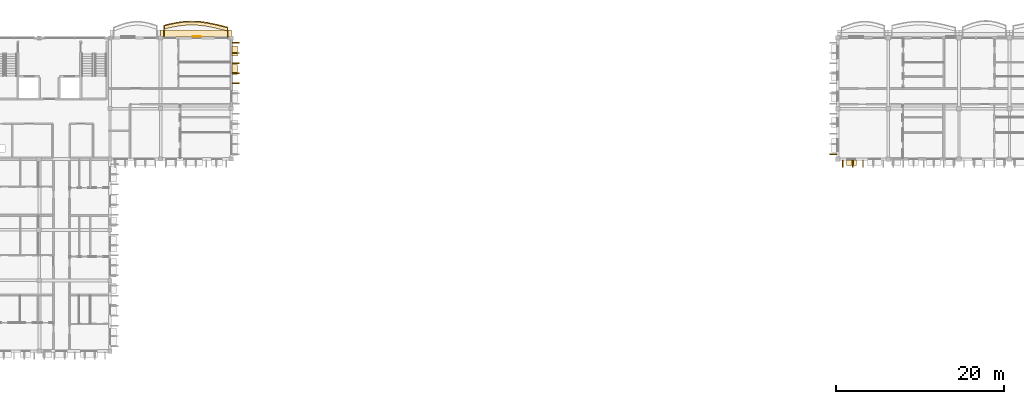
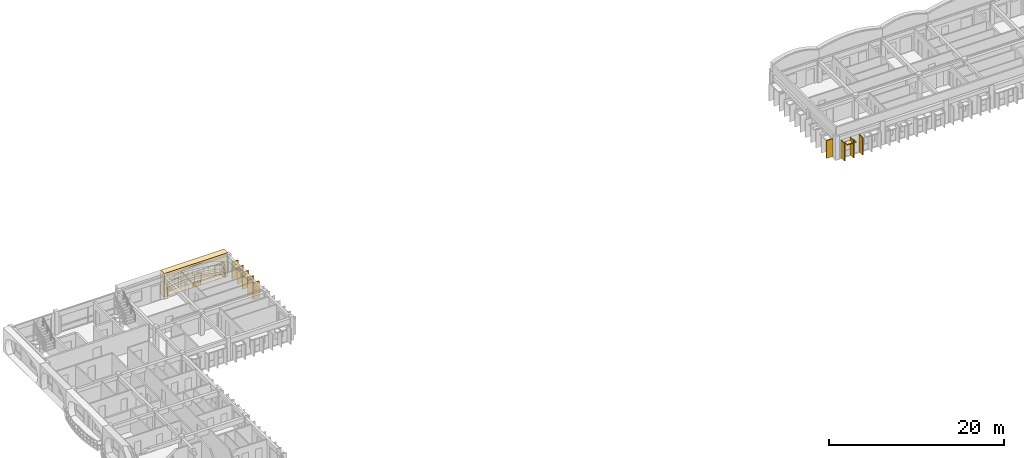
# One storey, part 22 of 28: 15 coverings, 1 railing.
"""IFC4 building model written with IfcOpenShell, lengths in metres."""

from ifc_helpers import new_model, si_unit, direction, frame, origin, origin_2d, place, context, subcontext, project, spatial, polyline, rectangle, outline, extrude, material, layer, layer_set, type_object, element, save


model = new_model("IFC4")

# Units and contexts
model_context = context("Model", 3, precision=1e-05, world=origin(), true_north=direction((0.0, 1.0)))
body_context = subcontext(model_context, "Body", "Model", "MODEL_VIEW")
ifc_project = project(units=[si_unit("LENGTHUNIT", "METRE"), si_unit("AREAUNIT", "SQUARE_METRE"), si_unit("VOLUMEUNIT", "CUBIC_METRE"), si_unit("PLANEANGLEUNIT", "RADIAN"), si_unit("MASSUNIT", "GRAM", prefix="KILO"), si_unit("THERMODYNAMICTEMPERATUREUNIT", "KELVIN")], contexts=[model_context])

# Site, building, storey
site_placement = place(None, origin())
site = spatial("IfcSite", under=ifc_project, at=site_placement, CompositionType="ELEMENT")
building_placement = place(site_placement, origin())
building = spatial("IfcBuilding", under=site, at=building_placement, Name="Thalorik Housing Commons", CompositionType="ELEMENT")
storey_placement = place(building_placement, frame((0.0, 0.0, 41.10009765625)))
storey = spatial("IfcBuildingStorey", under=building, at=storey_placement, Name="L12", CompositionType="ELEMENT", Elevation=41.10009765625)

# Coverings
ifc_material_1 = material(Name="Cobalt blue glazed ceramic facade tile panel", Category="masonry")
ifc_layer_1 = layer(ifc_material_1, 0.06005859375, Name="Cobalt blue glazed ceramic facade tile panel", Category="masonry")
ifc_layer_set_1 = layer_set([ifc_layer_1], Name="Cobalt blue glazed ceramic facade tile panel")
covering_type_1 = type_object("IfcCoveringType", Name="ARC-CLD-BLU-60", PredefinedType="CLADDING", material=ifc_layer_set_1)
covering_1_placement = place(storey_placement, frame((33.11767578125, 123.742431640625, 0.0498046875), z_axis=(0.0, 0.0, 1.0), x_axis=(-1.0, 0.0, 0.0)))
element("IfcCovering", 1, at=covering_1_placement, inside=storey, type_object=covering_type_1, Name="L12 De Stijl Recessed Window Spandrel 1206", PredefinedType="CLADDING", context=body_context, shape_type="SweptSolid", body=[
    extrude(rectangle(XDim=0.949951171875, YDim=0.06005859375, at=origin_2d()), origin(), (0.0, 0.0, 1.0), 0.699951171875),
])
ifc_material_2 = material(Name="Precast concrete C40/50", Category="concrete")
ifc_layer_2 = layer(ifc_material_2, 0.85009765625, Name="Precast concrete C40/50", Category="concrete")
ifc_layer_set_2 = layer_set([ifc_layer_2], Name="Precast concrete C40/50")
covering_type_2 = type_object("IfcCoveringType", Name="ARC-CLD-CUSH-850", PredefinedType="CLADDING", material=ifc_layer_set_2)
covering_2_placement = place(storey_placement, frame((33.0, 124.132568359375, 0.0), z_axis=(0.0, 0.0, 1.0), x_axis=(-1.0, 0.0, 0.0)))
element("IfcCovering", 2, at=covering_2_placement, inside=storey, type_object=covering_type_2, Name="L12 White Precast Curved Cushion Bay Frame 1205", PredefinedType="CLADDING", context=body_context, shape_type="SweptSolid", body=[
    extrude(outline(polyline([(-4.199951171875, 0.0), (4.199951171875, 0.0), (4.199951171875, 3.300048828125), (-4.199951171875, 3.300048828125), (-4.199951171875, 0.0)]), holes=[polyline([(3.727294921875, 0.02490234375), (3.8271484375, 0.399169921875), (3.886962890625, 0.773193359375), (3.906982421875, 1.1474609375), (3.886962890625, 1.521728515625), (3.8271484375, 1.895751953125), (3.727294921875, 2.27001953125), (3.1142578125, 2.50439453125), (2.501220703125, 2.6884765625), (1.887939453125, 2.837646484375), (1.27490234375, 2.948486328125), (0.661865234375, 3.016845703125), (0.048583984375, 3.0400390625), (-0.564453125, 3.016845703125), (-1.177490234375, 2.948486328125), (-1.790771484375, 2.837646484375), (-2.40380859375, 2.6884765625), (-3.016845703125, 2.50439453125), (-3.6298828125, 2.27001953125), (-3.750244140625, 1.895751953125), (-3.822509765625, 1.521728515625), (-3.8466796875, 1.1474609375), (-3.822509765625, 0.773193359375), (-3.750244140625, 0.399169921875), (-3.6298828125, 0.02490234375), (3.727294921875, 0.02490234375)])]), frame((0.0, 0.425048828125, 0.0), z_axis=(0.0, -1.0, 0.0), x_axis=(1.0, 0.0, 0.0)), (0.0, 0.0, 1.0), 0.85009765625),
])
ifc_layer_3 = layer(ifc_material_2, 0.85009765625, Name="Precast concrete C40/50", Category="concrete")
ifc_layer_set_3 = layer_set([ifc_layer_3], Name="Precast concrete C40/50")
covering_type_3 = type_object("IfcCoveringType", Name="ARC-CLD-FIN-850", PredefinedType="CLADDING", material=ifc_layer_set_3)
for number, where, z_axis, x_axis, name in (
    (3, (37.732421875, 118.199951171875, 0.0400390625), (0.0, 0.0, 1.0), (0.0, 1.0, 0.0), "L12 Courtyard Precast Vertical Brise-Soleil Fin 1197"),
    (4, (37.732421875, 119.39990234375, 0.0400390625), (0.0, 0.0, 1.0), (0.0, 1.0, 0.0), "L12 Courtyard Precast Vertical Brise-Soleil Fin 1198"),
    (5, (37.732421875, 120.60009765625, 0.0400390625), (0.0, 0.0, 1.0), (0.0, 1.0, 0.0), "L12 Courtyard Precast Vertical Brise-Soleil Fin 1199"),
    (6, (37.732421875, 121.800048828125, 0.0400390625), (0.0, 0.0, 1.0), (0.0, 1.0, 0.0), "L12 Courtyard Precast Vertical Brise-Soleil Fin 1200"),
    (7, (37.732421875, 123.0, 0.0400390625), (0.0, 0.0, 1.0), (0.0, 1.0, 0.0), "L12 Courtyard Precast Vertical Brise-Soleil Fin 1201"),
):
    element("IfcCovering", number, at=place(storey_placement, frame(where, z_axis=z_axis, x_axis=x_axis)), inside=storey, type_object=covering_type_3, Name=name, PredefinedType="CLADDING", context=body_context, shape_type="SweptSolid", body=[
        extrude(rectangle(XDim=0.110107421875, YDim=0.85009765625, at=origin_2d()), origin(), (0.0, 0.0, 1.0), 2.344970703125),
    ])
covering_3_placement = place(storey_placement, frame((108.672607421875, 109.800048828125, 0.039794921875), z_axis=(0.0, 0.0, 1.0), x_axis=(0.0, -1.0, 0.0)))
element("IfcCovering", 8, at=covering_3_placement, inside=storey, type_object=covering_type_3, Name="L12 Courtyard Precast Vertical Brise-Soleil Fin 3296", PredefinedType="CLADDING", context=body_context, shape_type="SweptSolid", body=[
    extrude(rectangle(XDim=0.110107421875, YDim=0.85009765625, at=origin_2d()), origin(), (0.0, 0.0, 1.0), 2.4951171875),
])
for number, where, z_axis, x_axis, name in (
    (9, (109.800048828125, 108.672607421875, 0.0400390625), (0.0, 0.0, 1.0), (1.0, 0.0, 0.0), "L12 Courtyard Precast Vertical Brise-Soleil Fin 3299"),
    (10, (111.0, 108.672607421875, 0.0400390625), (0.0, 0.0, 1.0), (1.0, 0.0, 0.0), "L12 Courtyard Precast Vertical Brise-Soleil Fin 3300"),
    (11, (112.199951171875, 108.672607421875, 0.0400390625), (0.0, 0.0, 1.0), (1.0, 0.0, 0.0), "L12 Courtyard Precast Vertical Brise-Soleil Fin 3301"),
):
    element("IfcCovering", number, at=place(storey_placement, frame(where, z_axis=z_axis, x_axis=x_axis)), inside=storey, type_object=covering_type_3, Name=name, PredefinedType="CLADDING", context=body_context, shape_type="SweptSolid", body=[
        extrude(rectangle(XDim=0.110107421875, YDim=0.85009765625, at=origin_2d()), origin(), (0.0, 0.0, 1.0), 2.445068359375),
    ])
ifc_layer_4 = layer(ifc_material_2, 0.64990234375, Name="Precast concrete C40/50", Category="concrete")
ifc_layer_set_4 = layer_set([ifc_layer_4], Name="Precast concrete C40/50")
covering_type_4 = type_object("IfcCoveringType", Name="ARC-CLD-HOOD-650", PredefinedType="CLADDING", material=ifc_layer_set_4)
for number, where, z_axis, x_axis, name in (
    (12, (37.632568359375, 119.8447265625, 1.98974609375), (0.0, 0.0, 1.0), (0.0, 1.0, 0.0), "L12 Courtyard Precast Window Sun-Hood 1203"),
    (13, (37.632568359375, 122.044677734375, 1.98974609375), (0.0, 0.0, 1.0), (0.0, 1.0, 0.0), "L12 Courtyard Precast Window Sun-Hood 1204"),
):
    element("IfcCovering", number, at=place(storey_placement, frame(where, z_axis=z_axis, x_axis=x_axis)), inside=storey, type_object=covering_type_4, Name=name, PredefinedType="CLADDING", context=body_context, shape_type="SweptSolid", body=[
        extrude(rectangle(XDim=1.139892578125, YDim=0.64990234375, at=origin_2d()), origin(), (0.0, 0.0, 1.0), 0.139892578125),
    ])
covering_4_placement = place(storey_placement, frame((110.830078125, 108.7724609375, 1.93994140625), z_axis=(0.0, 0.0, 1.0), x_axis=(1.0, 0.0, 0.0)))
element("IfcCovering", 14, at=covering_4_placement, inside=storey, type_object=covering_type_4, Name="L12 Courtyard Precast Window Sun-Hood 3304", PredefinedType="CLADDING", context=body_context, shape_type="SweptSolid", body=[
    extrude(rectangle(XDim=1.18994140625, YDim=0.64990234375, at=origin_2d()), origin(), (0.0, 0.0, 1.0), 0.139892578125),
])
ifc_material_3 = material(Name="Planted vegetated substrate and terracotta trough", Category="masonry")
ifc_layer_5 = layer(ifc_material_3, 0.340087890625, Name="Planted vegetated substrate and terracotta trough", Category="masonry")
ifc_layer_set_5 = layer_set([ifc_layer_5], Name="Planted vegetated substrate and terracotta trough")
covering_type_5 = type_object("IfcCoveringType", Name="ARC-COV-PLANTER", PredefinedType="USERDEFINED", material=ifc_layer_set_5)
covering_5_placement = place(storey_placement, origin())
element("IfcCovering", 15, at=covering_5_placement, inside=storey, type_object=covering_type_5, Name="L12 Balcony Slab-Edge Planted Trough 5398", ObjectType="PLANTER", PredefinedType="USERDEFINED", context=body_context, shape_type="SweptSolid", body=[
    extrude(outline(polyline([(36.780029296875, 124.78271484375), (36.14990234375, 124.938720703125), (35.52001953125, 125.0927734375), (34.889892578125, 125.234619140625), (34.260009765625, 125.35400390625), (33.6298828125, 125.443115234375), (33.0, 125.49560546875), (32.3701171875, 125.507080078125), (31.739990234375, 125.477294921875), (31.110107421875, 125.40771484375), (30.47998046875, 125.302978515625), (29.85009765625, 125.170166015625), (29.219970703125, 125.017822265625), (29.219970703125, 124.6376953125), (29.85009765625, 124.7900390625), (30.47998046875, 124.923095703125), (31.110107421875, 125.02783203125), (31.739990234375, 125.097412109375), (32.3701171875, 125.127197265625), (33.0, 125.115478515625), (33.6298828125, 125.063232421875), (34.260009765625, 124.97412109375), (34.889892578125, 124.8544921875), (35.52001953125, 124.712890625), (36.14990234375, 124.55859375), (36.780029296875, 124.402587890625), (36.780029296875, 124.78271484375)])), origin(), (0.0, 0.0, 1.0), 0.33984375),
])

# Railing
ifc_material_4 = material(Name="Steel S355", Category="steel")
railing_type = type_object("IfcRailingType", Name="ARC-RL-BAL-112", PredefinedType="BALUSTRADE", material=ifc_material_4)
railing_placement = place(storey_placement, frame((36.780029296875, 123.60009765625, 0.0)))
element("IfcRailing", 16, at=railing_placement, inside=storey, type_object=railing_type, Name="L12 Cushion Balcony Guardrail 82", PredefinedType="BALUSTRADE", context=body_context, shape_type="SweptSolid", body=[
    extrude(rectangle(XDim=0.050048828125, YDim=0.050048828125, at=origin_2d()), frame((0.0, 0.0, 1.09521484375), z_axis=(0.0, 1.0, 0.0), x_axis=(-1.0, 0.0, 0.0)), (0.0, 0.0, 1.0), 1.25244140625),
    extrude(rectangle(XDim=0.050048828125, YDim=0.050048828125, at=origin_2d()), frame((0.0, 0.0, 0.53515625), z_axis=(0.0, 1.0, 0.0), x_axis=(-1.0, 0.0, 0.0)), (0.0, 0.0, 1.0), 1.25244140625),
    extrude(rectangle(XDim=0.050048828125, YDim=0.050048828125, at=origin_2d()), frame((0.0, 1.25244140625, 1.09521484375), z_axis=(-0.970605262644, 0.240677012047, 0.0), x_axis=(-0.240677012047, -0.970605262644, 0.0)), (0.0, 0.0, 1.0), 0.649169921875),
    extrude(rectangle(XDim=0.050048828125, YDim=0.050048828125, at=origin_2d()), frame((0.0, 1.25244140625, 0.53515625), z_axis=(-0.970605262644, 0.240677012047, 0.0), x_axis=(-0.240677012047, -0.970605262644, 0.0)), (0.0, 0.0, 1.0), 0.649169921875),
    extrude(rectangle(XDim=0.050048828125, YDim=0.050048828125, at=origin_2d()), frame((-0.630126953125, 1.40869140625, 1.09521484375), z_axis=(-0.971370051234, 0.23757151253, 0.0), x_axis=(-0.23757151253, -0.971370051234, 0.0)), (0.0, 0.0, 1.0), 0.6484375),
    extrude(rectangle(XDim=0.050048828125, YDim=0.050048828125, at=origin_2d()), frame((-0.630126953125, 1.40869140625, 0.53515625), z_axis=(-0.971370051234, 0.23757151253, 0.0), x_axis=(-0.23757151253, -0.971370051234, 0.0)), (0.0, 0.0, 1.0), 0.6484375),
    extrude(rectangle(XDim=0.050048828125, YDim=0.050048828125, at=origin_2d()), frame((-1.260009765625, 1.562744140625, 1.09521484375), z_axis=(-0.975587490028, 0.219611132006, 0.0), x_axis=(-0.219611132006, -0.975587490028, 0.0)), (0.0, 0.0, 1.0), 0.64599609375),
    extrude(rectangle(XDim=0.050048828125, YDim=0.050048828125, at=origin_2d()), frame((-1.260009765625, 1.562744140625, 0.53515625), z_axis=(-0.975587490028, 0.219611132006, 0.0), x_axis=(-0.219611132006, -0.975587490028, 0.0)), (0.0, 0.0, 1.0), 0.64599609375),
    extrude(rectangle(XDim=0.050048828125, YDim=0.050048828125, at=origin_2d()), frame((-1.89013671875, 1.70458984375, 1.09521484375), z_axis=(-0.982508153778, 0.186219568681, 0.0), x_axis=(-0.186219568681, -0.982508153778, 0.0)), (0.0, 0.0, 1.0), 0.64111328125),
    extrude(rectangle(XDim=0.050048828125, YDim=0.050048828125, at=origin_2d()), frame((-1.89013671875, 1.70458984375, 0.53515625), z_axis=(-0.982508153778, 0.186219568681, 0.0), x_axis=(-0.186219568681, -0.982508153778, 0.0)), (0.0, 0.0, 1.0), 0.64111328125),
    extrude(rectangle(XDim=0.050048828125, YDim=0.050048828125, at=origin_2d()), frame((-2.52001953125, 1.823974609375, 1.09521484375), z_axis=(-0.990147996171, 0.140024803798, 0.0), x_axis=(-0.140024803798, -0.990147996171, 0.0)), (0.0, 0.0, 1.0), 0.636474609375),
    extrude(rectangle(XDim=0.050048828125, YDim=0.050048828125, at=origin_2d()), frame((-2.52001953125, 1.823974609375, 0.53515625), z_axis=(-0.990147996171, 0.140024803798, 0.0), x_axis=(-0.140024803798, -0.990147996171, 0.0)), (0.0, 0.0, 1.0), 0.636474609375),
    extrude(rectangle(XDim=0.050048828125, YDim=0.050048828125, at=origin_2d()), frame((-3.150146484375, 1.9130859375, 1.09521484375), z_axis=(-0.996577651619, 0.082661867227, 0.0), x_axis=(-0.082661867227, -0.996577651619, 0.0)), (0.0, 0.0, 1.0), 0.632080078125),
    extrude(rectangle(XDim=0.050048828125, YDim=0.050048828125, at=origin_2d()), frame((-3.150146484375, 1.9130859375, 0.53515625), z_axis=(-0.996577651619, 0.082661867227, 0.0), x_axis=(-0.082661867227, -0.996577651619, 0.0)), (0.0, 0.0, 1.0), 0.632080078125),
    extrude(rectangle(XDim=0.050048828125, YDim=0.050048828125, at=origin_2d()), frame((-3.780029296875, 1.96533203125, 1.09521484375), z_axis=(-0.999826978393, 0.018601432156, 0.0), x_axis=(-0.018601432156, -0.999826978393, 0.0)), (0.0, 0.0, 1.0), 0.6298828125),
    extrude(rectangle(XDim=0.050048828125, YDim=0.050048828125, at=origin_2d()), frame((-3.780029296875, 1.96533203125, 0.53515625), z_axis=(-0.999826978393, 0.018601432156, 0.0), x_axis=(-0.018601432156, -0.999826978393, 0.0)), (0.0, 0.0, 1.0), 0.6298828125),
    extrude(rectangle(XDim=0.050048828125, YDim=0.050048828125, at=origin_2d()), frame((-4.409912109375, 1.97705078125, 1.09521484375), z_axis=(-0.998884713002, -0.047215782637, 0.0), x_axis=(0.047215782637, -0.998884713002, 0.0)), (0.0, 0.0, 1.0), 0.630859375),
    extrude(rectangle(XDim=0.050048828125, YDim=0.050048828125, at=origin_2d()), frame((-4.409912109375, 1.97705078125, 0.53515625), z_axis=(-0.998884713002, -0.047215782637, 0.0), x_axis=(0.047215782637, -0.998884713002, 0.0)), (0.0, 0.0, 1.0), 0.630859375),
    extrude(rectangle(XDim=0.050048828125, YDim=0.050048828125, at=origin_2d()), frame((-5.0400390625, 1.947265625, 1.09521484375), z_axis=(-0.993954005493, -0.109797244793, 0.0), x_axis=(0.109797244793, -0.993954005493, 0.0)), (0.0, 0.0, 1.0), 0.6337890625),
    extrude(rectangle(XDim=0.050048828125, YDim=0.050048828125, at=origin_2d()), frame((-5.0400390625, 1.947265625, 0.53515625), z_axis=(-0.993954005493, -0.109797244793, 0.0), x_axis=(0.109797244793, -0.993954005493, 0.0)), (0.0, 0.0, 1.0), 0.6337890625),
    extrude(rectangle(XDim=0.050048828125, YDim=0.050048828125, at=origin_2d()), frame((-5.669921875, 1.877685546875, 1.09521484375), z_axis=(-0.98646613711, -0.163965119264, 0.0), x_axis=(0.163965119264, -0.98646613711, 0.0)), (0.0, 0.0, 1.0), 0.638671875),
    extrude(rectangle(XDim=0.050048828125, YDim=0.050048828125, at=origin_2d()), frame((-5.669921875, 1.877685546875, 0.53515625), z_axis=(-0.98646613711, -0.163965119264, 0.0), x_axis=(0.163965119264, -0.98646613711, 0.0)), (0.0, 0.0, 1.0), 0.638671875),
    extrude(rectangle(XDim=0.050048828125, YDim=0.050048828125, at=origin_2d()), frame((-6.300048828125, 1.77294921875, 1.09521484375), z_axis=(-0.978408728904, -0.206679363276, 0.0), x_axis=(0.206679363276, -0.978408728904, 0.0)), (0.0, 0.0, 1.0), 0.643798828125),
    extrude(rectangle(XDim=0.050048828125, YDim=0.050048828125, at=origin_2d()), frame((-6.300048828125, 1.77294921875, 0.53515625), z_axis=(-0.978408728904, -0.206679363276, 0.0), x_axis=(0.206679363276, -0.978408728904, 0.0)), (0.0, 0.0, 1.0), 0.643798828125),
    extrude(rectangle(XDim=0.050048828125, YDim=0.050048828125, at=origin_2d()), frame((-6.929931640625, 1.639892578125, 1.09521484375), z_axis=(-0.972082208573, -0.234640533104, 0.0), x_axis=(0.234640533104, -0.972082208573, 0.0)), (0.0, 0.0, 1.0), 0.648193359375),
    extrude(rectangle(XDim=0.050048828125, YDim=0.050048828125, at=origin_2d()), frame((-6.929931640625, 1.639892578125, 0.53515625), z_axis=(-0.972082208573, -0.234640533104, 0.0), x_axis=(0.234640533104, -0.972082208573, 0.0)), (0.0, 0.0, 1.0), 0.648193359375),
    extrude(rectangle(XDim=0.050048828125, YDim=0.050048828125, at=origin_2d()), frame((-7.56005859375, 1.48779296875, 1.09521484375), z_axis=(0.0, -1.0, 0.0), x_axis=(1.0, 0.0, 0.0)), (0.0, 0.0, 1.0), 1.48779296875),
    extrude(rectangle(XDim=0.050048828125, YDim=0.050048828125, at=origin_2d()), frame((-7.56005859375, 1.48779296875, 0.53515625), z_axis=(0.0, -1.0, 0.0), x_axis=(1.0, 0.0, 0.0)), (0.0, 0.0, 1.0), 1.48779296875),
    extrude(rectangle(XDim=0.0419921875, YDim=0.0419921875, at=origin_2d()), origin(), (0.0, 0.0, 1.0), 1.070068359375),
    extrude(rectangle(XDim=0.0419921875, YDim=0.0419921875, at=origin_2d()), frame((0.0, 1.25244140625, 0.0)), (0.0, 0.0, 1.0), 1.070068359375),
    extrude(rectangle(XDim=0.0419921875, YDim=0.0419921875, at=origin_2d()), frame((-0.630126953125, 1.40869140625, 0.0)), (0.0, 0.0, 1.0), 1.070068359375),
    extrude(rectangle(XDim=0.0419921875, YDim=0.0419921875, at=origin_2d()), frame((-1.260009765625, 1.562744140625, 0.0)), (0.0, 0.0, 1.0), 1.070068359375),
    extrude(rectangle(XDim=0.0419921875, YDim=0.0419921875, at=origin_2d()), frame((-1.89013671875, 1.70458984375, 0.0)), (0.0, 0.0, 1.0), 1.070068359375),
    extrude(rectangle(XDim=0.0419921875, YDim=0.0419921875, at=origin_2d()), frame((-2.52001953125, 1.823974609375, 0.0)), (0.0, 0.0, 1.0), 1.070068359375),
    extrude(rectangle(XDim=0.0419921875, YDim=0.0419921875, at=origin_2d()), frame((-3.150146484375, 1.9130859375, 0.0)), (0.0, 0.0, 1.0), 1.070068359375),
    extrude(rectangle(XDim=0.0419921875, YDim=0.0419921875, at=origin_2d()), frame((-3.780029296875, 1.96533203125, 0.0)), (0.0, 0.0, 1.0), 1.070068359375),
    extrude(rectangle(XDim=0.0419921875, YDim=0.0419921875, at=origin_2d()), frame((-4.409912109375, 1.97705078125, 0.0)), (0.0, 0.0, 1.0), 1.070068359375),
    extrude(rectangle(XDim=0.0419921875, YDim=0.0419921875, at=origin_2d()), frame((-5.0400390625, 1.947265625, 0.0)), (0.0, 0.0, 1.0), 1.070068359375),
    extrude(rectangle(XDim=0.0419921875, YDim=0.0419921875, at=origin_2d()), frame((-5.669921875, 1.877685546875, 0.0)), (0.0, 0.0, 1.0), 1.070068359375),
    extrude(rectangle(XDim=0.0419921875, YDim=0.0419921875, at=origin_2d()), frame((-6.300048828125, 1.77294921875, 0.0)), (0.0, 0.0, 1.0), 1.070068359375),
    extrude(rectangle(XDim=0.0419921875, YDim=0.0419921875, at=origin_2d()), frame((-6.929931640625, 1.639892578125, 0.0)), (0.0, 0.0, 1.0), 1.070068359375),
    extrude(rectangle(XDim=0.0419921875, YDim=0.0419921875, at=origin_2d()), frame((-7.56005859375, 1.48779296875, 0.0)), (0.0, 0.0, 1.0), 1.070068359375),
    extrude(rectangle(XDim=0.0419921875, YDim=0.0419921875, at=origin_2d()), frame((-7.56005859375, 0.0, 0.0)), (0.0, 0.0, 1.0), 1.070068359375),
])

save(model, "model.ifc")
